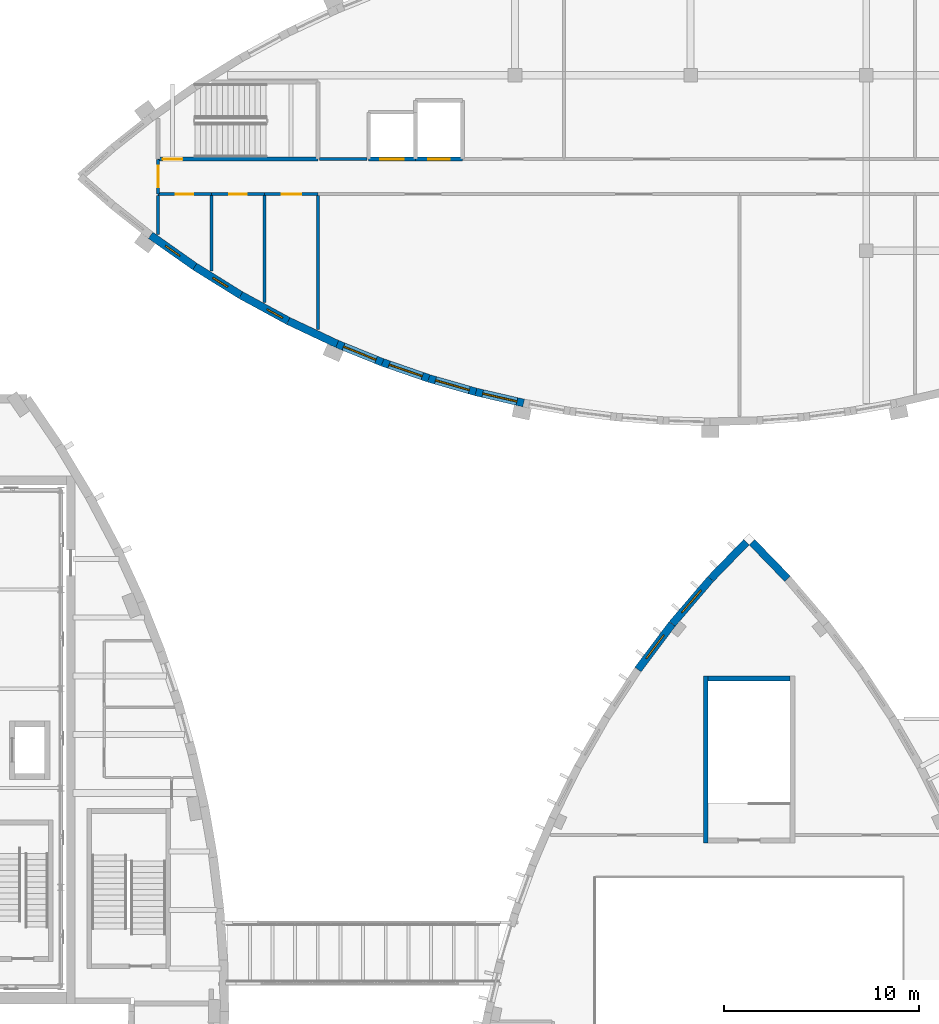
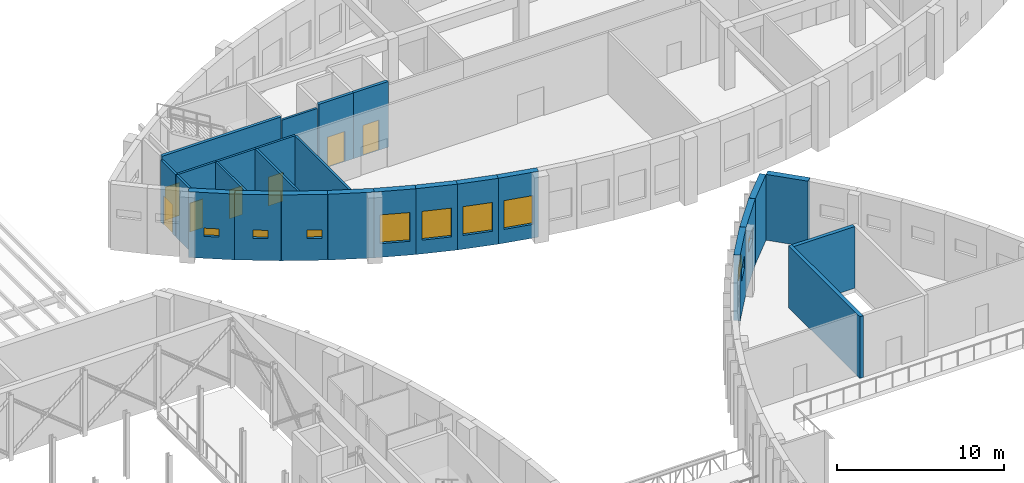
# One storey, part 70 of 93: 26 walls, 9 windows, 7 doors, 16 openings.
"""IFC4 building model written with IfcOpenShell, lengths in metres."""

from ifc_helpers import new_model, si_unit, direction, frame, frame_2d, origin, place, context, subcontext, project, spatial, rectangle, extrude, material, layer, layer_set, type_object, element, fill, save


model = new_model("IFC4")

# Units and contexts
model_context = context("Model", 3, precision=1e-05, world=origin(), true_north=direction((0.0, 1.0)))
body_context = subcontext(model_context, "Body", "Model", "MODEL_VIEW")
ifc_project = project(units=[si_unit("LENGTHUNIT", "METRE"), si_unit("AREAUNIT", "SQUARE_METRE"), si_unit("VOLUMEUNIT", "CUBIC_METRE"), si_unit("PLANEANGLEUNIT", "RADIAN"), si_unit("MASSUNIT", "GRAM", prefix="KILO")], contexts=[model_context])

# Site, building, storey
site_placement = place(None, origin())
site = spatial("IfcSite", under=ifc_project, at=site_placement, CompositionType="ELEMENT")
building_placement = place(site_placement, origin())
building = spatial("IfcBuilding", under=site, at=building_placement, Name="Tide Square Theatres", CompositionType="ELEMENT")
storey_placement = place(building_placement, frame((0.0, 0.0, 5.39990234375)))
storey = spatial("IfcBuildingStorey", under=building, at=storey_placement, Name="L01", CompositionType="ELEMENT", Elevation=5.39990234375)

# Wall
ifc_material_1 = material(Name="Gypsum board on steel studs", Category="steel")
ifc_layer_1 = layer(ifc_material_1, 0.14990234375)
ifc_layer_set_1 = layer_set([ifc_layer_1], Name="Gypsum board on steel studs")
wall_type_1 = type_object("IfcWallType", Name="Partition 150 thick", PredefinedType="PARTITIONING", material=ifc_layer_set_1)
wall_1_placement = place(storey_placement, frame((101.699951171875, 94.8291015625, 0.0), z_axis=(0.0, 0.0, 1.0), x_axis=(0.0, 1.0, 0.0)))
element("IfcWall", 1, at=wall_1_placement, inside=storey, type_object=wall_type_1, Name="Rehearsal Block partition", PredefinedType="PARTITIONING", context=body_context, shape_type="SweptSolid", body=[
    extrude(rectangle(XDim=2.010986328125, YDim=0.14990234375, at=frame_2d((1.00537109375, 0.0))), origin(), (0.0, 0.0, 1.0), 4.52001953125),
])

# Wall, opening, door
wall_2_placement = place(storey_placement, frame((104.433349609375, 96.89990234375, 0.0), z_axis=(0.0, 0.0, 1.0), x_axis=(-1.0, 0.0, 0.0)))
wall_2 = element("IfcWall", 2, at=wall_2_placement, inside=storey, type_object=wall_type_1, Name="Rehearsal Block partition", PredefinedType="PARTITIONING", context=body_context, shape_type="SweptSolid", body=[
    extrude(rectangle(XDim=2.7333984375, YDim=0.14990234375, at=frame_2d((1.36669921875, 0.0))), origin(), (0.0, 0.0, 1.0), 4.52001953125),
])
opening_1_placement = place(wall_2_placement, frame((0.916748046875, 0.0, 0.0)))
opening_1 = element("IfcOpeningElement", 3, at=opening_1_placement, cuts=wall_2, Name="Opening R1-01", PredefinedType="OPENING", context=body_context, shape_type="SweptSolid", body=[
    extrude(rectangle(XDim=0.89990234375, YDim=2.10009765625, at=frame_2d((0.449951171875, 1.050048828125))), frame((0.0, 0.0849609375, 0.0), z_axis=(0.0, -1.0, 0.0), x_axis=(1.0, 0.0, 0.0)), (0.0, 0.0, 1.0), 0.169921875),
])
ifc_material_2 = material(Name="Hardwood timber", Category="wood")
door_type_1 = type_object("IfcDoorType", Name="Door 900 x 2100 single leaf", OperationType="NOTDEFINED", PredefinedType="DOOR", material=ifc_material_2)
door_1_placement = place(opening_1_placement, origin())
door_1 = element("IfcDoor", 4, at=door_1_placement, inside=storey, type_object=door_type_1, Name="Rehearsal Block door R1-01 to Gents WC W", OperationType="SINGLE_SWING_RIGHT", OverallHeight=2.10009765625, OverallWidth=0.89990234375, PredefinedType="DOOR", context=body_context, shape_type="SweptSolid", body=[
    extrude(rectangle(XDim=0.89990234375, YDim=2.10009765625, at=frame_2d((0.449951171875, 1.050048828125))), frame((0.0, 0.02490234375, 0.0), z_axis=(0.0, -1.0, 0.0), x_axis=(1.0, 0.0, 0.0)), (0.0, 0.0, 1.0), 0.050048828125),
])
fill(opening_1, door_1)

wall_3_placement = place(storey_placement, frame((101.699951171875, 96.89990234375, 0.0), z_axis=(0.0, 0.0, 1.0), x_axis=(0.0, 1.0, 0.0)))
wall_3 = element("IfcWall", 5, at=wall_3_placement, inside=storey, type_object=wall_type_1, Name="Rehearsal Block partition", PredefinedType="PARTITIONING", context=body_context, shape_type="SweptSolid", body=[
    extrude(rectangle(XDim=1.77001953125, YDim=0.14990234375, at=frame_2d((0.885009765625, 0.0))), origin(), (0.0, 0.0, 1.0), 4.52001953125),
])
opening_2_placement = place(wall_3_placement, frame((0.35009765625, 0.0, 0.0)))
opening_2 = element("IfcOpeningElement", 6, at=opening_2_placement, cuts=wall_3, Name="Opening R1-07", PredefinedType="OPENING", context=body_context, shape_type="SweptSolid", body=[
    extrude(rectangle(XDim=1.10009765625, YDim=2.10009765625, at=frame_2d((0.550048828125, 1.050048828125))), frame((0.0, 0.0849609375, 0.0), z_axis=(0.0, -1.0, 0.0), x_axis=(1.0, 0.0, 0.0)), (0.0, 0.0, 1.0), 0.169921875),
])
ifc_material_3 = material(Name="Painted steel", Category="steel")
door_type_2 = type_object("IfcDoorType", Name="Door 1100 x 2100 single leaf", OperationType="NOTDEFINED", PredefinedType="DOOR", material=ifc_material_3)
door_2_placement = place(opening_2_placement, origin())
door_2 = element("IfcDoor", 7, at=door_2_placement, inside=storey, type_object=door_type_2, Name="Rehearsal Block door R1-07 to Plant Room W", OperationType="SINGLE_SWING_RIGHT", OverallHeight=2.10009765625, OverallWidth=1.10009765625, PredefinedType="DOOR", context=body_context, shape_type="SweptSolid", body=[
    extrude(rectangle(XDim=1.10009765625, YDim=2.10009765625, at=frame_2d((0.550048828125, 1.050048828125))), frame((0.0, 0.02490234375, 0.0), z_axis=(0.0, -1.0, 0.0), x_axis=(1.0, 0.0, 0.0)), (0.0, 0.0, 1.0), 0.050048828125),
])
fill(opening_2, door_2)

# Wall
wall_4_placement = place(storey_placement, frame((104.433349609375, 96.840087890625, 0.0), z_axis=(0.0, 0.0, 1.0), x_axis=(0.0, -1.0, 0.0)))
element("IfcWall", 8, at=wall_4_placement, inside=storey, type_object=wall_type_1, Name="Rehearsal Block partition", PredefinedType="PARTITIONING", context=body_context, shape_type="SweptSolid", body=[
    extrude(rectangle(XDim=3.88037109375, YDim=0.14990234375, at=frame_2d((1.940185546875, 0.0))), origin(), (0.0, 0.0, 1.0), 4.52001953125),
])

# Wall, opening, door
wall_5_placement = place(storey_placement, frame((107.166748046875, 96.89990234375, 0.0), z_axis=(0.0, 0.0, 1.0), x_axis=(-1.0, 0.0, 0.0)))
wall_5 = element("IfcWall", 9, at=wall_5_placement, inside=storey, type_object=wall_type_1, Name="Rehearsal Block partition", PredefinedType="PARTITIONING", context=body_context, shape_type="SweptSolid", body=[
    extrude(rectangle(XDim=2.7333984375, YDim=0.14990234375, at=frame_2d((1.36669921875, 0.0))), origin(), (0.0, 0.0, 1.0), 4.52001953125),
])
opening_3_placement = place(wall_5_placement, frame((0.916748046875, 0.0, 0.0)))
opening_3 = element("IfcOpeningElement", 10, at=opening_3_placement, cuts=wall_5, Name="Opening R1-02", PredefinedType="OPENING", context=body_context, shape_type="SweptSolid", body=[
    extrude(rectangle(XDim=0.89990234375, YDim=2.10009765625, at=frame_2d((0.449951171875, 1.050048828125))), frame((0.0, 0.0849609375, 0.0), z_axis=(0.0, -1.0, 0.0), x_axis=(1.0, 0.0, 0.0)), (0.0, 0.0, 1.0), 0.169921875),
])
door_3_placement = place(opening_3_placement, origin())
door_3 = element("IfcDoor", 11, at=door_3_placement, inside=storey, type_object=door_type_1, Name="Rehearsal Block door R1-02 to Ladies WC W", OperationType="SINGLE_SWING_RIGHT", OverallHeight=2.10009765625, OverallWidth=0.89990234375, PredefinedType="DOOR", context=body_context, shape_type="SweptSolid", body=[
    extrude(rectangle(XDim=0.89990234375, YDim=2.10009765625, at=frame_2d((0.449951171875, 1.050048828125))), frame((0.0, 0.02490234375, 0.0), z_axis=(0.0, -1.0, 0.0), x_axis=(1.0, 0.0, 0.0)), (0.0, 0.0, 1.0), 0.050048828125),
])
fill(opening_3, door_3)

# Wall
wall_6_placement = place(storey_placement, frame((107.166748046875, 96.840087890625, 0.0), z_axis=(0.0, 0.0, 1.0), x_axis=(0.0, -1.0, 0.0)))
element("IfcWall", 12, at=wall_6_placement, inside=storey, type_object=wall_type_1, Name="Rehearsal Block partition", PredefinedType="PARTITIONING", context=body_context, shape_type="SweptSolid", body=[
    extrude(rectangle(XDim=5.4951171875, YDim=0.14990234375, at=frame_2d((2.74755859375, 0.0))), origin(), (0.0, 0.0, 1.0), 4.52001953125),
])

# Wall, opening, door
wall_7_placement = place(storey_placement, frame((109.89990234375, 96.89990234375, 0.0), z_axis=(0.0, 0.0, 1.0), x_axis=(-1.0, 0.0, 0.0)))
wall_7 = element("IfcWall", 13, at=wall_7_placement, inside=storey, type_object=wall_type_1, Name="Rehearsal Block partition", PredefinedType="PARTITIONING", context=body_context, shape_type="SweptSolid", body=[
    extrude(rectangle(XDim=2.733154296875, YDim=0.14990234375, at=frame_2d((1.36669921875, 0.0))), origin(), (0.0, 0.0, 1.0), 4.52001953125),
])
opening_4_placement = place(wall_7_placement, frame((0.86669921875, 0.0, 0.0)))
opening_4 = element("IfcOpeningElement", 14, at=opening_4_placement, cuts=wall_7, Name="Opening R1-03", PredefinedType="OPENING", context=body_context, shape_type="SweptSolid", body=[
    extrude(rectangle(XDim=1.0, YDim=2.10009765625, at=frame_2d((0.5, 1.050048828125))), frame((0.0, 0.0849609375, 0.0), z_axis=(0.0, -1.0, 0.0), x_axis=(1.0, 0.0, 0.0)), (0.0, 0.0, 1.0), 0.169921875),
])
ifc_material_4 = material(Name="Hardwood timber", Category="wood")
door_type_3 = type_object("IfcDoorType", Name="Door 1000 x 2100 single leaf", OperationType="NOTDEFINED", PredefinedType="DOOR", material=ifc_material_4)
door_4_placement = place(opening_4_placement, origin())
door_4 = element("IfcDoor", 15, at=door_4_placement, inside=storey, type_object=door_type_3, Name="Rehearsal Block door R1-03 to Accessible WC W", OperationType="SINGLE_SWING_RIGHT", OverallHeight=2.10009765625, OverallWidth=1.0, PredefinedType="DOOR", context=body_context, shape_type="SweptSolid", body=[
    extrude(rectangle(XDim=1.0, YDim=2.10009765625, at=frame_2d((0.5, 1.050048828125))), frame((0.0, 0.02490234375, 0.0), z_axis=(0.0, -1.0, 0.0), x_axis=(1.0, 0.0, 0.0)), (0.0, 0.0, 1.0), 0.050048828125),
])
fill(opening_4, door_4)

# Walls
wall_8_placement = place(storey_placement, frame((109.89990234375, 96.840087890625, 0.0), z_axis=(0.0, 0.0, 1.0), x_axis=(0.0, -1.0, 0.0)))
element("IfcWall", 16, at=wall_8_placement, inside=storey, type_object=wall_type_1, Name="Rehearsal Block partition", PredefinedType="PARTITIONING", context=body_context, shape_type="SweptSolid", body=[
    extrude(rectangle(XDim=6.8798828125, YDim=0.14990234375, at=frame_2d((3.43994140625, 0.0))), origin(), (0.0, 0.0, 1.0), 4.52001953125),
])
wall_9_placement = place(storey_placement, frame((109.97998046875, 98.699951171875, 0.0), z_axis=(0.0, 0.0, 1.0), x_axis=(1.0, 0.0, 0.0)))
element("IfcWall", 17, at=wall_9_placement, inside=storey, type_object=wall_type_1, Name="Rehearsal Block partition", PredefinedType="PARTITIONING", context=body_context, shape_type="SweptSolid", body=[
    extrude(rectangle(XDim=2.43994140625, YDim=0.14990234375, at=frame_2d((1.219970703125, 0.0))), origin(), (0.0, 0.0, 1.0), 4.52001953125),
])
ifc_material_5 = material(Name="Concrete C40", Category="concrete")
ifc_layer_2 = layer(ifc_material_5, 0.39990234375)
ifc_layer_set_2 = layer_set([ifc_layer_2], Name="Concrete C40")
wall_type_2 = type_object("IfcWallType", Name="RC curved wall 400 thick", PredefinedType="SOLIDWALL", material=ifc_layer_set_2)
for number, where, z_axis, x_axis, name in (
    (18, (133.967529296875, 77.184814453125, 0.0), (0.0, 0.0, 1.0), (-0.696353968975, 0.71769850905, 0.0), "Black Box Theatre perimeter wall"),
    (19, (131.8564453125, 79.064697265625, 0.0), (0.0, 0.0, 1.0), (-0.696353968975, -0.71769850905, 0.0), "Black Box Theatre perimeter wall"),
):
    element("IfcWall", number, at=place(storey_placement, frame(where, z_axis=z_axis, x_axis=x_axis)), inside=storey, type_object=wall_type_2, Name=name, PredefinedType="SOLIDWALL", context=body_context, shape_type="SweptSolid", body=[
        extrude(rectangle(XDim=2.619384765625, YDim=0.39990234375, at=frame_2d((1.3095703125, 0.0))), origin(), (0.0, 0.0, 1.0), 4.800048828125),
    ])

# Wall, opening, window
wall_10_placement = place(storey_placement, frame((130.02392578125, 77.175537109375, 0.0), z_axis=(0.0, 0.0, 1.0), x_axis=(-0.649458578854, -0.760396971557, 0.0)))
wall_10 = element("IfcWall", 20, at=wall_10_placement, inside=storey, type_object=wall_type_2, Name="Black Box Theatre perimeter wall", PredefinedType="SOLIDWALL", context=body_context, shape_type="SweptSolid", body=[
    extrude(rectangle(XDim=3.019287109375, YDim=0.39990234375, at=frame_2d((1.509765625, 0.0))), origin(), (0.0, 0.0, 1.0), 4.800048828125),
])
opening_5_placement = place(wall_10_placement, frame((0.759521484375, 0.0, 2.39990234375)))
opening_5 = element("IfcOpeningElement", 21, at=opening_5_placement, cuts=wall_10, Name="Opening WN-04", PredefinedType="OPENING", context=body_context, shape_type="SweptSolid", body=[
    extrude(rectangle(XDim=1.5, YDim=0.89990234375, at=frame_2d((0.75, 0.449951171875))), frame((0.0, 0.2099609375, 0.0), z_axis=(0.0, -1.0, 0.0), x_axis=(1.0, 0.0, 0.0)), (0.0, 0.0, 1.0), 0.419921875),
])
ifc_material_6 = material(Name="Aluminium with laminated glass", Category="aluminium")
window_type_1 = type_object("IfcWindowType", Name="Window 1500 x 900", PartitioningType="SINGLE_PANEL", PredefinedType="WINDOW", material=ifc_material_6)
window_1_placement = place(opening_5_placement, origin())
window_1 = element("IfcWindow", 22, at=window_1_placement, inside=storey, type_object=window_type_1, Name="Black Box Theatre Lamp Store window", OverallHeight=0.89990234375, OverallWidth=1.5, PartitioningType="SINGLE_PANEL", PredefinedType="WINDOW", context=body_context, shape_type="SweptSolid", body=[
    extrude(rectangle(XDim=1.5, YDim=0.89990234375, at=frame_2d((0.75, 0.449951171875))), frame((0.0, 0.030029296875, 0.0), z_axis=(0.0, -1.0, 0.0), x_axis=(1.0, 0.0, 0.0)), (0.0, 0.0, 1.0), 0.06005859375),
])
fill(opening_5, window_1)

wall_11_placement = place(storey_placement, frame((128.055419921875, 74.869873046875, 0.0), z_axis=(0.0, 0.0, 1.0), x_axis=(-0.600829330321, -0.799377330068, 0.0)))
wall_11 = element("IfcWall", 23, at=wall_11_placement, inside=storey, type_object=wall_type_2, Name="Black Box Theatre perimeter wall", PredefinedType="SOLIDWALL", context=body_context, shape_type="SweptSolid", body=[
    extrude(rectangle(XDim=2.919189453125, YDim=0.39990234375, at=frame_2d((1.45947265625, 0.0))), origin(), (0.0, 0.0, 1.0), 4.800048828125),
])
opening_6_placement = place(wall_11_placement, frame((0.709716796875, 0.0, 2.39990234375)))
opening_6 = element("IfcOpeningElement", 24, at=opening_6_placement, cuts=wall_11, Name="Opening WN-04", PredefinedType="OPENING", context=body_context, shape_type="SweptSolid", body=[
    extrude(rectangle(XDim=1.5, YDim=0.89990234375, at=frame_2d((0.75, 0.449951171875))), frame((0.0, 0.2099609375, 0.0), z_axis=(0.0, -1.0, 0.0), x_axis=(1.0, 0.0, 0.0)), (0.0, 0.0, 1.0), 0.419921875),
])
window_2_placement = place(opening_6_placement, origin())
window_2 = element("IfcWindow", 25, at=window_2_placement, inside=storey, type_object=window_type_1, Name="Black Box Theatre Lamp Store window", OverallHeight=0.89990234375, OverallWidth=1.5, PartitioningType="SINGLE_PANEL", PredefinedType="WINDOW", context=body_context, shape_type="SweptSolid", body=[
    extrude(rectangle(XDim=1.5, YDim=0.89990234375, at=frame_2d((0.75, 0.449951171875))), frame((0.0, 0.030029296875, 0.0), z_axis=(0.0, -1.0, 0.0), x_axis=(1.0, 0.0, 0.0)), (0.0, 0.0, 1.0), 0.06005859375),
])
fill(opening_6, window_2)

wall_12_placement = place(storey_placement, frame((101.31982421875, 94.79150390625, 0.0), z_axis=(0.0, 0.0, 1.0), x_axis=(0.817028877428, -0.576596751161, 0.0)))
wall_12 = element("IfcWall", 26, at=wall_12_placement, inside=storey, type_object=wall_type_2, Name="Rehearsal Block perimeter wall 002", PredefinedType="SOLIDWALL", context=body_context, shape_type="SweptSolid", body=[
    extrude(rectangle(XDim=2.772216796875, YDim=0.39990234375, at=frame_2d((1.38623046875, 0.0))), origin(), (0.0, 0.0, 1.0), 4.800048828125),
])
opening_7_placement = place(wall_12_placement, frame((0.93603515625, 0.0, 1.60009765625)))
opening_7 = element("IfcOpeningElement", 27, at=opening_7_placement, cuts=wall_12, Name="Opening WN-12", PredefinedType="OPENING", context=body_context, shape_type="SweptSolid", body=[
    extrude(rectangle(XDim=0.89990234375, YDim=0.60009765625, at=frame_2d((0.449951171875, 0.300048828125))), frame((0.0, 0.2099609375, 0.0), z_axis=(0.0, -1.0, 0.0), x_axis=(1.0, 0.0, 0.0)), (0.0, 0.0, 1.0), 0.419921875),
])
ifc_material_7 = material(Name="Aluminium with laminated glass", Category="aluminium")
window_type_2 = type_object("IfcWindowType", Name="Window 900 x 600", PartitioningType="SINGLE_PANEL", PredefinedType="WINDOW", material=ifc_material_7)
window_3_placement = place(opening_7_placement, origin())
window_3 = element("IfcWindow", 28, at=window_3_placement, inside=storey, type_object=window_type_2, Name="Rehearsal Block window L01-46", OverallHeight=0.60009765625, OverallWidth=0.89990234375, PartitioningType="SINGLE_PANEL", PredefinedType="WINDOW", context=body_context, shape_type="SweptSolid", body=[
    extrude(rectangle(XDim=0.89990234375, YDim=0.60009765625, at=frame_2d((0.449951171875, 0.300048828125))), frame((0.0, 0.030029296875, 0.0), z_axis=(0.0, -1.0, 0.0), x_axis=(1.0, 0.0, 0.0)), (0.0, 0.0, 1.0), 0.06005859375),
])
fill(opening_7, window_3)

wall_13_placement = place(storey_placement, frame((103.584716796875, 93.193115234375, 0.0), z_axis=(0.0, 0.0, 1.0), x_axis=(0.84912946359, -0.528184772653, 0.0)))
wall_13 = element("IfcWall", 29, at=wall_13_placement, inside=storey, type_object=wall_type_2, Name="Rehearsal Block perimeter wall 003", PredefinedType="SOLIDWALL", context=body_context, shape_type="SweptSolid", body=[
    extrude(rectangle(XDim=2.77197265625, YDim=0.39990234375, at=frame_2d((1.385986328125, 0.0))), origin(), (0.0, 0.0, 1.0), 4.800048828125),
])
opening_8_placement = place(wall_13_placement, frame((1.0859375, 0.0, 1.60009765625)))
opening_8 = element("IfcOpeningElement", 30, at=opening_8_placement, cuts=wall_13, Name="Opening WN-12", PredefinedType="OPENING", context=body_context, shape_type="SweptSolid", body=[
    extrude(rectangle(XDim=0.89990234375, YDim=0.60009765625, at=frame_2d((0.449951171875, 0.300048828125))), frame((0.0, 0.2099609375, 0.0), z_axis=(0.0, -1.0, 0.0), x_axis=(1.0, 0.0, 0.0)), (0.0, 0.0, 1.0), 0.419921875),
])
window_4_placement = place(opening_8_placement, origin())
window_4 = element("IfcWindow", 31, at=window_4_placement, inside=storey, type_object=window_type_2, Name="Rehearsal Block window L01-47", OverallHeight=0.60009765625, OverallWidth=0.89990234375, PartitioningType="SINGLE_PANEL", PredefinedType="WINDOW", context=body_context, shape_type="SweptSolid", body=[
    extrude(rectangle(XDim=0.89990234375, YDim=0.60009765625, at=frame_2d((0.449951171875, 0.300048828125))), frame((0.0, 0.030029296875, 0.0), z_axis=(0.0, -1.0, 0.0), x_axis=(1.0, 0.0, 0.0)), (0.0, 0.0, 1.0), 0.06005859375),
])
fill(opening_8, window_4)

wall_14_placement = place(storey_placement, frame((105.9384765625, 91.72900390625, 0.0), z_axis=(0.0, 0.0, 1.0), x_axis=(0.878292493566, -0.478123724308, 0.0)))
wall_14 = element("IfcWall", 32, at=wall_14_placement, inside=storey, type_object=wall_type_2, Name="Rehearsal Block perimeter wall 004", PredefinedType="SOLIDWALL", context=body_context, shape_type="SweptSolid", body=[
    extrude(rectangle(XDim=2.771728515625, YDim=0.39990234375, at=frame_2d((1.3857421875, 0.0))), origin(), (0.0, 0.0, 1.0), 4.800048828125),
])
opening_9_placement = place(wall_14_placement, frame((1.535888671875, 0.0, 1.60009765625)))
opening_9 = element("IfcOpeningElement", 33, at=opening_9_placement, cuts=wall_14, Name="Opening WN-12", PredefinedType="OPENING", context=body_context, shape_type="SweptSolid", body=[
    extrude(rectangle(XDim=0.89990234375, YDim=0.60009765625, at=frame_2d((0.449951171875, 0.300048828125))), frame((0.0, 0.2099609375, 0.0), z_axis=(0.0, -1.0, 0.0), x_axis=(1.0, 0.0, 0.0)), (0.0, 0.0, 1.0), 0.419921875),
])
window_5_placement = place(opening_9_placement, origin())
window_5 = element("IfcWindow", 34, at=window_5_placement, inside=storey, type_object=window_type_2, Name="Rehearsal Block window L01-48", OverallHeight=0.60009765625, OverallWidth=0.89990234375, PartitioningType="SINGLE_PANEL", PredefinedType="WINDOW", context=body_context, shape_type="SweptSolid", body=[
    extrude(rectangle(XDim=0.89990234375, YDim=0.60009765625, at=frame_2d((0.449951171875, 0.300048828125))), frame((0.0, 0.030029296875, 0.0), z_axis=(0.0, -1.0, 0.0), x_axis=(1.0, 0.0, 0.0)), (0.0, 0.0, 1.0), 0.06005859375),
])
fill(opening_9, window_5)

# Wall
wall_15_placement = place(storey_placement, frame((108.372802734375, 90.40380859375, 0.0), z_axis=(0.0, 0.0, 1.0), x_axis=(0.904527098751, -0.42641614372, 0.0)))
element("IfcWall", 35, at=wall_15_placement, inside=storey, type_object=wall_type_2, Name="Rehearsal Block perimeter wall 005", PredefinedType="SOLIDWALL", context=body_context, shape_type="SweptSolid", body=[
    extrude(rectangle(XDim=2.772216796875, YDim=0.39990234375, at=frame_2d((1.38623046875, 0.0))), origin(), (0.0, 0.0, 1.0), 4.800048828125),
])

# Wall, opening, window
wall_16_placement = place(storey_placement, frame((110.88037109375, 89.2216796875, 0.0), z_axis=(0.0, 0.0, 1.0), x_axis=(0.926722795862, -0.375745738007, 0.0)))
wall_16 = element("IfcWall", 36, at=wall_16_placement, inside=storey, type_object=wall_type_2, Name="Rehearsal Block perimeter wall 006", PredefinedType="SOLIDWALL", context=body_context, shape_type="SweptSolid", body=[
    extrude(rectangle(XDim=2.5107421875, YDim=0.39990234375, at=frame_2d((1.25537109375, 0.0))), origin(), (0.0, 0.0, 1.0), 4.800048828125),
])
opening_10_placement = place(wall_16_placement, frame((0.35546875, 0.0, 1.0)))
opening_10 = element("IfcOpeningElement", 37, at=opening_10_placement, cuts=wall_16, Name="Opening WN-14", PredefinedType="OPENING", context=body_context, shape_type="SweptSolid", body=[
    extrude(rectangle(XDim=1.800048828125, YDim=2.10009765625, at=frame_2d((0.89990234375, 1.050048828125))), frame((0.0, 0.2099609375, 0.0), z_axis=(0.0, -1.0, 0.0), x_axis=(1.0, 0.0, 0.0)), (0.0, 0.0, 1.0), 0.419921875),
])
ifc_material_8 = material(Name="Aluminium with laminated glass", Category="aluminium")
window_type_3 = type_object("IfcWindowType", Name="Window 1800 x 2100", PartitioningType="DOUBLE_PANEL_VERTICAL", PredefinedType="WINDOW", material=ifc_material_8)
window_6_placement = place(opening_10_placement, origin())
window_6 = element("IfcWindow", 38, at=window_6_placement, inside=storey, type_object=window_type_3, Name="Rehearsal Block window L01-49", OverallHeight=2.10009765625, OverallWidth=1.800048828125, PartitioningType="SINGLE_PANEL", PredefinedType="WINDOW", context=body_context, shape_type="SweptSolid", body=[
    extrude(rectangle(XDim=1.800048828125, YDim=2.10009765625, at=frame_2d((0.89990234375, 1.050048828125))), frame((0.0, 0.030029296875, 0.0), z_axis=(0.0, -1.0, 0.0), x_axis=(1.0, 0.0, 0.0)), (0.0, 0.0, 1.0), 0.06005859375),
])
fill(opening_10, window_6)

wall_17_placement = place(storey_placement, frame((113.20703125, 88.2783203125, 0.0), z_axis=(0.0, 0.0, 1.0), x_axis=(0.94514546406, -0.326649738659, 0.0)))
wall_17 = element("IfcWall", 39, at=wall_17_placement, inside=storey, type_object=wall_type_2, Name="Rehearsal Block perimeter wall 007", PredefinedType="SOLIDWALL", context=body_context, shape_type="SweptSolid", body=[
    extrude(rectangle(XDim=2.51123046875, YDim=0.39990234375, at=frame_2d((1.255615234375, 0.0))), origin(), (0.0, 0.0, 1.0), 4.800048828125),
])
opening_11_placement = place(wall_17_placement, frame((0.35546875, 0.0, 1.0)))
opening_11 = element("IfcOpeningElement", 40, at=opening_11_placement, cuts=wall_17, Name="Opening WN-14", PredefinedType="OPENING", context=body_context, shape_type="SweptSolid", body=[
    extrude(rectangle(XDim=1.800048828125, YDim=2.10009765625, at=frame_2d((0.89990234375, 1.050048828125))), frame((0.0, 0.2099609375, 0.0), z_axis=(0.0, -1.0, 0.0), x_axis=(1.0, 0.0, 0.0)), (0.0, 0.0, 1.0), 0.419921875),
])
window_7_placement = place(opening_11_placement, origin())
window_7 = element("IfcWindow", 41, at=window_7_placement, inside=storey, type_object=window_type_3, Name="Rehearsal Block window L01-50", OverallHeight=2.10009765625, OverallWidth=1.800048828125, PartitioningType="SINGLE_PANEL", PredefinedType="WINDOW", context=body_context, shape_type="SweptSolid", body=[
    extrude(rectangle(XDim=1.800048828125, YDim=2.10009765625, at=frame_2d((0.89990234375, 1.050048828125))), frame((0.0, 0.030029296875, 0.0), z_axis=(0.0, -1.0, 0.0), x_axis=(1.0, 0.0, 0.0)), (0.0, 0.0, 1.0), 0.06005859375),
])
fill(opening_11, window_7)

wall_18_placement = place(storey_placement, frame((115.58056640625, 87.4580078125, 0.0), z_axis=(0.0, 0.0, 1.0), x_axis=(0.961008605775, -0.276518461637, 0.0)))
wall_18 = element("IfcWall", 42, at=wall_18_placement, inside=storey, type_object=wall_type_2, Name="Rehearsal Block perimeter wall 008", PredefinedType="SOLIDWALL", context=body_context, shape_type="SweptSolid", body=[
    extrude(rectangle(XDim=2.510986328125, YDim=0.39990234375, at=frame_2d((1.25537109375, 0.0))), origin(), (0.0, 0.0, 1.0), 4.800048828125),
])
opening_12_placement = place(wall_18_placement, frame((0.35546875, 0.0, 1.0)))
opening_12 = element("IfcOpeningElement", 43, at=opening_12_placement, cuts=wall_18, Name="Opening WN-14", PredefinedType="OPENING", context=body_context, shape_type="SweptSolid", body=[
    extrude(rectangle(XDim=1.800048828125, YDim=2.10009765625, at=frame_2d((0.89990234375, 1.050048828125))), frame((0.0, 0.2099609375, 0.0), z_axis=(0.0, -1.0, 0.0), x_axis=(1.0, 0.0, 0.0)), (0.0, 0.0, 1.0), 0.419921875),
])
window_8_placement = place(opening_12_placement, origin())
window_8 = element("IfcWindow", 44, at=window_8_placement, inside=storey, type_object=window_type_3, Name="Rehearsal Block window L01-51", OverallHeight=2.10009765625, OverallWidth=1.800048828125, PartitioningType="SINGLE_PANEL", PredefinedType="WINDOW", context=body_context, shape_type="SweptSolid", body=[
    extrude(rectangle(XDim=1.800048828125, YDim=2.10009765625, at=frame_2d((0.89990234375, 1.050048828125))), frame((0.0, 0.030029296875, 0.0), z_axis=(0.0, -1.0, 0.0), x_axis=(1.0, 0.0, 0.0)), (0.0, 0.0, 1.0), 0.06005859375),
])
fill(opening_12, window_8)

wall_19_placement = place(storey_placement, frame((117.99365234375, 86.763671875, 0.0), z_axis=(0.0, 0.0, 1.0), x_axis=(0.974210649093, -0.225640446716, 0.0)))
wall_19 = element("IfcWall", 45, at=wall_19_placement, inside=storey, type_object=wall_type_2, Name="Rehearsal Block perimeter wall 009", PredefinedType="SOLIDWALL", context=body_context, shape_type="SweptSolid", body=[
    extrude(rectangle(XDim=2.51123046875, YDim=0.39990234375, at=frame_2d((1.255615234375, 0.0))), origin(), (0.0, 0.0, 1.0), 4.800048828125),
])
opening_13_placement = place(wall_19_placement, frame((0.355712890625, 0.0, 1.0)))
opening_13 = element("IfcOpeningElement", 46, at=opening_13_placement, cuts=wall_19, Name="Opening WN-14", PredefinedType="OPENING", context=body_context, shape_type="SweptSolid", body=[
    extrude(rectangle(XDim=1.800048828125, YDim=2.10009765625, at=frame_2d((0.89990234375, 1.050048828125))), frame((0.0, 0.2099609375, 0.0), z_axis=(0.0, -1.0, 0.0), x_axis=(1.0, 0.0, 0.0)), (0.0, 0.0, 1.0), 0.419921875),
])
window_9_placement = place(opening_13_placement, origin())
window_9 = element("IfcWindow", 47, at=window_9_placement, inside=storey, type_object=window_type_3, Name="Rehearsal Block window L01-52", OverallHeight=2.10009765625, OverallWidth=1.800048828125, PartitioningType="SINGLE_PANEL", PredefinedType="WINDOW", context=body_context, shape_type="SweptSolid", body=[
    extrude(rectangle(XDim=1.800048828125, YDim=2.10009765625, at=frame_2d((0.89990234375, 1.050048828125))), frame((0.0, 0.030029296875, 0.0), z_axis=(0.0, -1.0, 0.0), x_axis=(1.0, 0.0, 0.0)), (0.0, 0.0, 1.0), 0.06005859375),
])
fill(opening_13, window_9)

# Wall, opening, door
ifc_material_9 = material(Name="Concrete C40", Category="concrete")
ifc_layer_3 = layer(ifc_material_9, 0.199951171875)
ifc_layer_set_3 = layer_set([ifc_layer_3], Name="Concrete C40")
wall_type_3 = type_object("IfcWallType", Name="RC shear wall 200 thick", PredefinedType="SHEAR", material=ifc_layer_set_3)
wall_20_placement = place(storey_placement, frame((109.89990234375, 98.699951171875, 0.0), z_axis=(0.0, 0.0, 1.0), x_axis=(-1.0, 0.0, 0.0)))
wall_20 = element("IfcWall", 48, at=wall_20_placement, inside=storey, type_object=wall_type_3, Name="Rehearsal Block stair enclosure wall", PredefinedType="SHEAR", context=body_context, shape_type="SweptSolid", body=[
    extrude(rectangle(XDim=8.199951171875, YDim=0.199951171875, at=frame_2d((4.10009765625, 0.0))), origin(), (0.0, 0.0, 1.0), 4.800048828125),
])
opening_14_placement = place(wall_20_placement, frame((6.949951171875, 0.0, 0.0)))
opening_14 = element("IfcOpeningElement", 49, at=opening_14_placement, cuts=wall_20, Name="Opening R1-17", PredefinedType="OPENING", context=body_context, shape_type="SweptSolid", body=[
    extrude(rectangle(XDim=1.0, YDim=2.39990234375, at=frame_2d((0.5, 1.199951171875))), frame((0.0, 0.10986328125, 0.0), z_axis=(0.0, -1.0, 0.0), x_axis=(1.0, 0.0, 0.0)), (0.0, 0.0, 1.0), 0.219970703125),
])
ifc_material_10 = material(Name="Hardwood timber", Category="wood")
door_type_4 = type_object("IfcDoorType", Name="Door 1000 x 2400 single leaf", OperationType="NOTDEFINED", PredefinedType="DOOR", material=ifc_material_10)
door_5_placement = place(opening_14_placement, origin())
door_5 = element("IfcDoor", 50, at=door_5_placement, inside=storey, type_object=door_type_4, Name="Rehearsal Block door R1-17 stair door to Stair 1", OperationType="SINGLE_SWING_RIGHT", OverallHeight=2.39990234375, OverallWidth=1.0, PredefinedType="DOOR", context=body_context, shape_type="SweptSolid", body=[
    extrude(rectangle(XDim=1.0, YDim=2.39990234375, at=frame_2d((0.5, 1.199951171875))), frame((0.0, 0.02490234375, 0.0), z_axis=(0.0, -1.0, 0.0), x_axis=(1.0, 0.0, 0.0)), (0.0, 0.0, 1.0), 0.050048828125),
])
fill(opening_14, door_5)

wall_21_placement = place(storey_placement, frame((117.300048828125, 98.699951171875, 0.0), z_axis=(0.0, 0.0, 1.0), x_axis=(-1.0, 0.0, 0.0)))
wall_21 = element("IfcWall", 51, at=wall_21_placement, inside=storey, type_object=wall_type_3, Name="Rehearsal Block lift shaft wall", PredefinedType="SHEAR", context=body_context, shape_type="SweptSolid", body=[
    extrude(rectangle(XDim=2.400146484375, YDim=0.199951171875, at=frame_2d((1.2001953125, 0.0))), origin(), (0.0, 0.0, 1.0), 4.800048828125),
])
opening_15_placement = place(wall_21_placement, frame((0.64990234375, 0.0, 0.0)))
opening_15 = element("IfcOpeningElement", 52, at=opening_15_placement, cuts=wall_21, Name="Opening LD-R2-1", PredefinedType="OPENING", context=body_context, shape_type="SweptSolid", body=[
    extrude(rectangle(XDim=1.10009765625, YDim=2.199951171875, at=frame_2d((0.550048828125, 1.10009765625))), frame((0.0, 0.10986328125, 0.0), z_axis=(0.0, -1.0, 0.0), x_axis=(1.0, 0.0, 0.0)), (0.0, 0.0, 1.0), 0.219970703125),
])
ifc_material_11 = material(Name="Painted steel", Category="steel")
door_type_5 = type_object("IfcDoorType", Name="Door 1100 x 2200 sliding", OperationType="SLIDING_TO_LEFT", PredefinedType="DOOR", material=ifc_material_11)
door_6_placement = place(opening_15_placement, origin())
door_6 = element("IfcDoor", 53, at=door_6_placement, inside=storey, type_object=door_type_5, Name="Rehearsal Block lift landing door 2 L01", OperationType="SLIDING_TO_LEFT", OverallHeight=2.199951171875, OverallWidth=1.10009765625, PredefinedType="DOOR", context=body_context, shape_type="SweptSolid", body=[
    extrude(rectangle(XDim=1.10009765625, YDim=2.199951171875, at=frame_2d((0.550048828125, 1.10009765625))), frame((0.0, 0.02490234375, 0.0), z_axis=(0.0, -1.0, 0.0), x_axis=(1.0, 0.0, 0.0)), (0.0, 0.0, 1.0), 0.050048828125),
])
fill(opening_15, door_6)

wall_22_placement = place(storey_placement, frame((114.89990234375, 98.699951171875, 0.0), z_axis=(0.0, 0.0, 1.0), x_axis=(-1.0, 0.0, 0.0)))
wall_22 = element("IfcWall", 54, at=wall_22_placement, inside=storey, type_object=wall_type_3, Name="Rehearsal Block lift shaft wall", PredefinedType="SHEAR", context=body_context, shape_type="SweptSolid", body=[
    extrude(rectangle(XDim=2.39990234375, YDim=0.199951171875, at=frame_2d((1.199951171875, 0.0))), origin(), (0.0, 0.0, 1.0), 4.800048828125),
])
opening_16_placement = place(wall_22_placement, frame((0.60009765625, 0.0, 0.0)))
opening_16 = element("IfcOpeningElement", 55, at=opening_16_placement, cuts=wall_22, Name="Opening LD-R1-1", PredefinedType="OPENING", context=body_context, shape_type="SweptSolid", body=[
    extrude(rectangle(XDim=1.199951171875, YDim=2.199951171875, at=frame_2d((0.60009765625, 1.10009765625))), frame((0.0, 0.10986328125, 0.0), z_axis=(0.0, -1.0, 0.0), x_axis=(1.0, 0.0, 0.0)), (0.0, 0.0, 1.0), 0.219970703125),
])
ifc_material_12 = material(Name="Painted steel", Category="steel")
door_type_6 = type_object("IfcDoorType", Name="Door 1200 x 2200 sliding", OperationType="SLIDING_TO_LEFT", PredefinedType="DOOR", material=ifc_material_12)
door_7_placement = place(opening_16_placement, origin())
door_7 = element("IfcDoor", 56, at=door_7_placement, inside=storey, type_object=door_type_6, Name="Rehearsal Block lift landing door 1 L01", OperationType="SLIDING_TO_LEFT", OverallHeight=2.199951171875, OverallWidth=1.199951171875, PredefinedType="DOOR", context=body_context, shape_type="SweptSolid", body=[
    extrude(rectangle(XDim=1.199951171875, YDim=2.199951171875, at=frame_2d((0.60009765625, 1.10009765625))), frame((0.0, 0.02490234375, 0.0), z_axis=(0.0, -1.0, 0.0), x_axis=(1.0, 0.0, 0.0)), (0.0, 0.0, 1.0), 0.050048828125),
])
fill(opening_16, door_7)

# Walls
ifc_material_13 = material(Name="Concrete C40", Category="concrete")
ifc_layer_4 = layer(ifc_material_13, 0.25)
ifc_layer_set_4 = layer_set([ifc_layer_4], Name="Concrete C40")
wall_type_4 = type_object("IfcWallType", Name="RC shear wall 250 thick", PredefinedType="SHEAR", material=ifc_layer_set_4)
wall_23_placement = place(storey_placement, frame((129.77490234375, 72.199951171875, 0.0), z_axis=(0.0, 0.0, 1.0), x_axis=(0.0, -1.0, 0.0)))
element("IfcWall", 57, at=wall_23_placement, inside=storey, type_object=wall_type_4, Name="Black Box Theatre Stair B1 shaft wall", PredefinedType="SHEAR", context=body_context, shape_type="SweptSolid", body=[
    extrude(rectangle(XDim=8.550048828125, YDim=0.25, at=frame_2d((4.27490234375, 0.0))), origin(), (0.0, 0.0, 1.0), 4.5),
])
wall_24_placement = place(storey_placement, frame((129.89990234375, 72.074951171875, 0.0), z_axis=(0.0, 0.0, 1.0), x_axis=(1.0, 0.0, 0.0)))
element("IfcWall", 58, at=wall_24_placement, inside=storey, type_object=wall_type_4, Name="Black Box Theatre Stair B1 shaft wall", PredefinedType="SHEAR", context=body_context, shape_type="SweptSolid", body=[
    extrude(rectangle(XDim=4.2001953125, YDim=0.25, at=frame_2d((2.10009765625, 0.0))), origin(), (0.0, 0.0, 1.0), 4.5),
])

save(model, "model.ifc")
